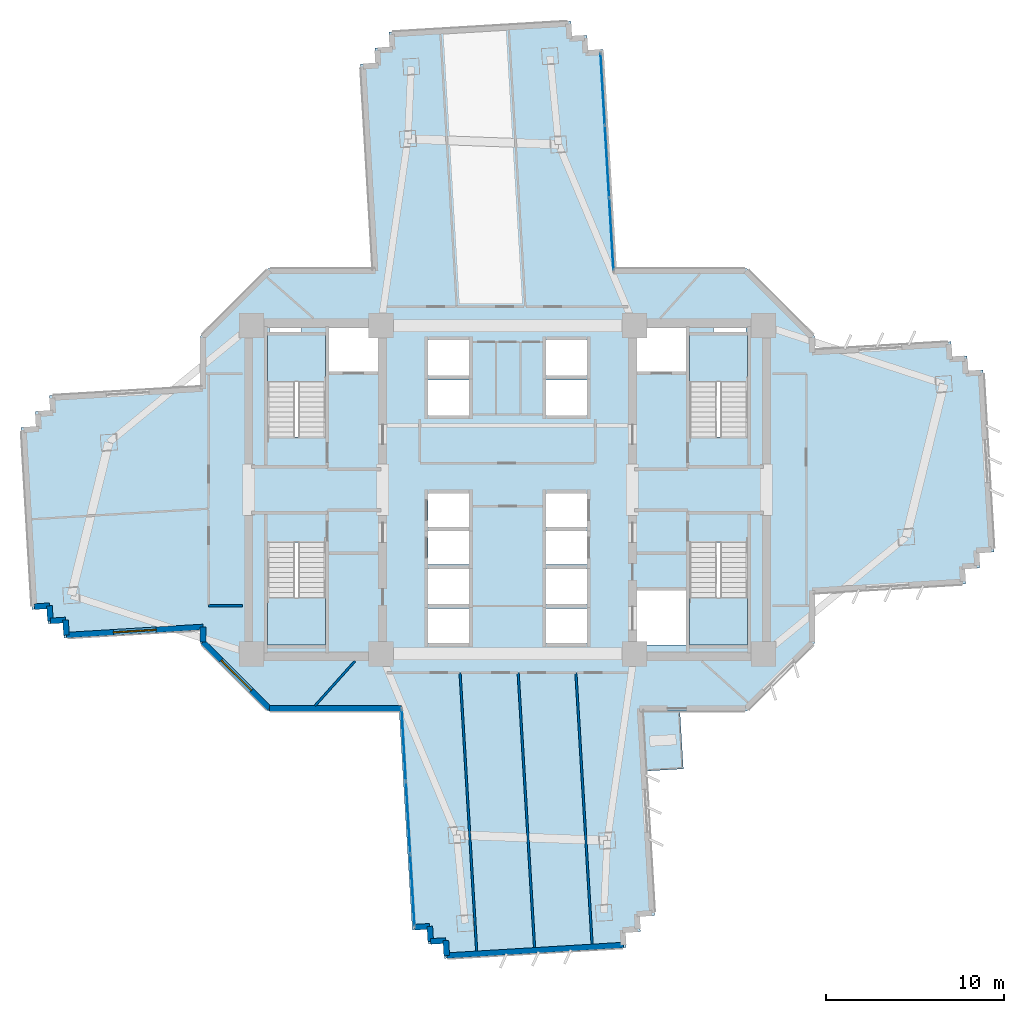
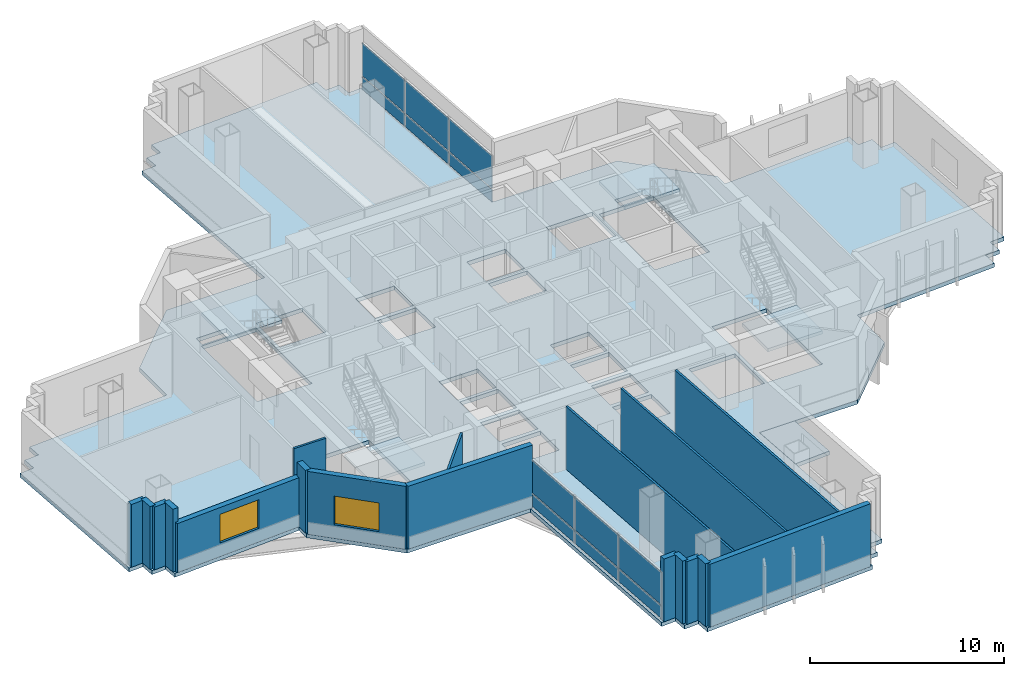
# One storey, part 5 of 15: 18 walls, 12 plates, 6 slabs, 2 windows, 2 openings, 6 elements without a shape of their own.
"""IFC4 building model written with IfcOpenShell, lengths in metres."""

from ifc_helpers import new_model, si_unit, direction, frame, frame_2d, origin, origin_2d, place, context, subcontext, project, spatial, polyline, rectangle, outline, extrude, source, transform, mapped, material, layer, layer_set, type_object, element, fill, aggregate, save


model = new_model("IFC4")

# Units and contexts
model_context = context("Model", 3, precision=1e-05, world=origin(), true_north=direction((0.0, 1.0)))
body_context = subcontext(model_context, "Body", "Model", "MODEL_VIEW")
ifc_project = project(units=[si_unit("LENGTHUNIT", "METRE"), si_unit("AREAUNIT", "SQUARE_METRE"), si_unit("VOLUMEUNIT", "CUBIC_METRE"), si_unit("PLANEANGLEUNIT", "RADIAN"), si_unit("MASSUNIT", "GRAM", prefix="KILO")], contexts=[model_context])

# Site, building, storey
site_placement = place(None, origin())
site = spatial("IfcSite", under=ifc_project, at=site_placement, CompositionType="ELEMENT")
building_placement = place(site_placement, origin())
building = spatial("IfcBuilding", under=site, at=building_placement, Name="Zahravan Cultural Tower", CompositionType="ELEMENT")
storey_placement = place(building_placement, frame((0.0, 0.0, 71.10009765625)))
storey = spatial("IfcBuildingStorey", under=building, at=storey_placement, Name="L15", CompositionType="ELEMENT", Elevation=71.10009765625)

# Stair, slab
ifc_material_1 = material(Name="Concrete C45/55", Category="concrete")
stair_type = type_object("IfcStairType", Name="STR-DL-1550-420", PredefinedType="HALF_TURN_STAIR", material=ifc_material_1)
stair_1_placement = place(storey_placement, origin())
stair_1 = element("IfcStair", 1, at=stair_1_placement, inside=storey, type_object=stair_type, Name="L15 West Core North Exit Stair ST-W1", PredefinedType="HALF_TURN_STAIR")
ifc_layer_1 = layer(ifc_material_1, 0.199951171875)
ifc_layer_set_1 = layer_set([ifc_layer_1], Name="Concrete C45/55")
slab_type_1 = type_object("IfcSlabType", Name="SL-STAIR-LND200", PredefinedType="LANDING", material=ifc_layer_set_1)
slab_1_placement = place(storey_placement, frame((0.0, 0.0, 1.89990234375)))
slab_1 = element("IfcSlab", 2, at=slab_1_placement, type_object=slab_type_1, Name="ST-W1 landing 1", PredefinedType="LANDING", context=body_context, shape_type="SweptSolid", body=[
    extrude(outline(polyline([(25.800048828125, 33.030029296875), (25.800048828125, 35.699951171875), (22.550048828125, 35.699951171875), (22.550048828125, 33.030029296875), (25.800048828125, 33.030029296875)])), origin(), (0.0, 0.0, 1.0), 0.199951171875),
])
aggregate(stair_1, [slab_1])

stair_2_placement = place(storey_placement, origin())
stair_2 = element("IfcStair", 3, at=stair_2_placement, inside=storey, type_object=stair_type, Name="L15 West Core South Exit Stair ST-W2", PredefinedType="HALF_TURN_STAIR")
slab_2_placement = place(storey_placement, frame((0.0, 0.0, 1.89990234375)))
slab_2 = element("IfcSlab", 4, at=slab_2_placement, type_object=slab_type_1, Name="ST-W2 landing 1", PredefinedType="LANDING", context=body_context, shape_type="SweptSolid", body=[
    extrude(outline(polyline([(22.550048828125, 20.969970703125), (22.550048828125, 18.300048828125), (25.800048828125, 18.300048828125), (25.800048828125, 20.969970703125), (22.550048828125, 20.969970703125)])), origin(), (0.0, 0.0, 1.0), 0.199951171875),
])
aggregate(stair_2, [slab_2])

stair_3_placement = place(storey_placement, origin())
stair_3 = element("IfcStair", 5, at=stair_3_placement, inside=storey, type_object=stair_type, Name="L15 East Core North Exit Stair ST-E1", PredefinedType="HALF_TURN_STAIR")
slab_3_placement = place(storey_placement, frame((0.0, 0.0, 1.89990234375)))
slab_3 = element("IfcSlab", 6, at=slab_3_placement, type_object=slab_type_1, Name="ST-E1 landing 1", PredefinedType="LANDING", context=body_context, shape_type="SweptSolid", body=[
    extrude(outline(polyline([(49.449951171875, 33.030029296875), (49.449951171875, 35.699951171875), (46.199951171875, 35.699951171875), (46.199951171875, 33.030029296875), (49.449951171875, 33.030029296875)])), origin(), (0.0, 0.0, 1.0), 0.199951171875),
])
aggregate(stair_3, [slab_3])

stair_4_placement = place(storey_placement, origin())
stair_4 = element("IfcStair", 7, at=stair_4_placement, inside=storey, type_object=stair_type, Name="L15 East Core South Exit Stair ST-E2", PredefinedType="HALF_TURN_STAIR")
slab_4_placement = place(storey_placement, frame((0.0, 0.0, 1.89990234375)))
slab_4 = element("IfcSlab", 8, at=slab_4_placement, type_object=slab_type_1, Name="ST-E2 landing 1", PredefinedType="LANDING", context=body_context, shape_type="SweptSolid", body=[
    extrude(outline(polyline([(46.199951171875, 20.969970703125), (46.199951171875, 18.300048828125), (49.449951171875, 18.300048828125), (49.449951171875, 20.969970703125), (46.199951171875, 20.969970703125)])), origin(), (0.0, 0.0, 1.0), 0.199951171875),
])
aggregate(stair_4, [slab_4])

# Slabs
ifc_material_2 = material(Name="Concrete C40/50", Category="concrete")
ifc_layer_2 = layer(ifc_material_2, 0.239990234375)
ifc_layer_set_2 = layer_set([ifc_layer_2], Name="Concrete C40/50")
slab_type_2 = type_object("IfcSlabType", Name="SL-TERR-240", PredefinedType="FLOOR", material=ifc_layer_set_2)
slab_5_placement = place(storey_placement, frame((0.0, 0.0, -0.239990234375)))
element("IfcSlab", 9, at=slab_5_placement, inside=storey, type_object=slab_type_2, Name="L15 Planted Sculpture Terrace SE", PredefinedType="FLOOR", context=body_context, shape_type="SweptSolid", body=[
    extrude(outline(polyline([(45.8505859375, 11.35986328125), (45.6572265625, 14.594970703125), (43.55859375, 14.594970703125), (43.75927734375, 11.23486328125), (45.8505859375, 11.35986328125)])), origin(), (0.0, 0.0, 1.0), 0.239990234375),
])
ifc_layer_3 = layer(ifc_material_2, 0.25)
ifc_layer_set_3 = layer_set([ifc_layer_3], Name="Concrete C40/50")
slab_type_3 = type_object("IfcSlabType", Name="SL-TYP-250", PredefinedType="FLOOR", material=ifc_layer_set_3)
slab_6_placement = place(storey_placement, frame((0.0, 0.0, -0.25)))
element("IfcSlab", 10, at=slab_6_placement, inside=storey, type_object=slab_type_3, Name="L15 Structural Floor Slab", PredefinedType="FLOOR", context=body_context, shape_type="SweptSolid", body=[
    extrude(outline(polyline([(53.199951171875, 34.840087890625), (53.199951171875, 35.60009765625), (49.39990234375, 39.39990234375), (42.071044921875, 39.39990234375), (41.33837890625, 51.662353515625), (40.48974609375, 51.61181640625), (40.439208984375, 52.460205078125), (39.590576171875, 52.409423828125), (39.539794921875, 53.2578125), (29.358154296875, 52.6494140625), (29.40869140625, 51.801025390625), (28.560302734375, 51.750244140625), (28.611083984375, 50.90185546875), (27.762451171875, 50.85107421875), (28.447021484375, 39.39990234375), (22.60009765625, 39.39990234375), (18.800048828125, 35.60009765625), (18.800048828125, 32.7841796875), (10.33935546875, 32.278564453125), (10.39013671875, 31.43017578125), (9.54150390625, 31.37939453125), (9.59228515625, 30.531005859375), (8.743896484375, 30.480224609375), (9.352294921875, 20.29833984375), (10.20068359375, 20.34912109375), (10.25146484375, 19.50048828125), (11.10009765625, 19.55126953125), (11.150634765625, 18.702880859375), (18.800048828125, 19.159912109375), (18.800048828125, 18.39990234375), (22.60009765625, 14.60009765625), (29.928955078125, 14.60009765625), (30.66162109375, 2.337646484375), (31.51025390625, 2.38818359375), (31.560791015625, 1.539794921875), (32.409423828125, 1.590576171875), (32.460205078125, 0.7421875), (42.641845703125, 1.3505859375), (42.59130859375, 2.198974609375), (43.439697265625, 2.249755859375), (43.388916015625, 3.09814453125), (44.237548828125, 3.14892578125), (43.552978515625, 14.60009765625), (49.39990234375, 14.60009765625), (53.199951171875, 18.39990234375), (53.199951171875, 21.2158203125), (61.66064453125, 21.721435546875), (61.60986328125, 22.56982421875), (62.45849609375, 22.62060546875), (62.40771484375, 23.468994140625), (63.256103515625, 23.519775390625), (62.647705078125, 33.70166015625), (61.79931640625, 33.65087890625), (61.74853515625, 34.49951171875), (60.89990234375, 34.44873046875), (60.849365234375, 35.297119140625), (53.199951171875, 34.840087890625)]), holes=[polyline([(22.550048828125, 29.949951171875), (22.550048828125, 35.699951171875), (25.800048828125, 35.699951171875), (25.800048828125, 29.949951171875), (22.550048828125, 29.949951171875)]), polyline([(22.550048828125, 18.300048828125), (22.550048828125, 24.050048828125), (25.800048828125, 24.050048828125), (25.800048828125, 18.300048828125), (22.550048828125, 18.300048828125)]), polyline([(46.199951171875, 29.949951171875), (46.199951171875, 35.699951171875), (49.449951171875, 35.699951171875), (49.449951171875, 29.949951171875), (46.199951171875, 29.949951171875)]), polyline([(46.199951171875, 18.300048828125), (46.199951171875, 24.050048828125), (49.449951171875, 24.050048828125), (49.449951171875, 18.300048828125), (46.199951171875, 18.300048828125)]), polyline([(26.0, 33.60009765625), (26.0, 36.050048828125), (28.75, 36.050048828125), (28.75, 33.60009765625), (26.0, 33.60009765625)]), polyline([(43.25, 33.60009765625), (43.25, 36.050048828125), (46.0, 36.050048828125), (46.0, 33.60009765625), (43.25, 33.60009765625)]), polyline([(43.25, 18.300048828125), (43.25, 21.35009765625), (46.0, 21.35009765625), (46.0, 18.300048828125), (43.25, 18.300048828125)]), polyline([(31.550048828125, 33.39990234375), (31.550048828125, 35.39990234375), (33.85009765625, 35.39990234375), (33.85009765625, 33.39990234375), (31.550048828125, 33.39990234375)]), polyline([(31.550048828125, 31.14990234375), (31.550048828125, 33.14990234375), (33.85009765625, 33.14990234375), (33.85009765625, 31.14990234375), (31.550048828125, 31.14990234375)]), polyline([(38.14990234375, 33.39990234375), (38.14990234375, 35.39990234375), (40.449951171875, 35.39990234375), (40.449951171875, 33.39990234375), (38.14990234375, 33.39990234375)]), polyline([(38.14990234375, 31.14990234375), (38.14990234375, 33.14990234375), (40.449951171875, 33.14990234375), (40.449951171875, 31.14990234375), (38.14990234375, 31.14990234375)]), polyline([(31.550048828125, 20.60009765625), (31.550048828125, 22.550048828125), (33.85009765625, 22.550048828125), (33.85009765625, 20.60009765625), (31.550048828125, 20.60009765625)]), polyline([(31.550048828125, 18.39990234375), (31.550048828125, 20.35009765625), (33.85009765625, 20.35009765625), (33.85009765625, 18.39990234375), (31.550048828125, 18.39990234375)]), polyline([(38.14990234375, 20.60009765625), (38.14990234375, 22.550048828125), (40.449951171875, 22.550048828125), (40.449951171875, 20.60009765625), (38.14990234375, 20.60009765625)]), polyline([(38.14990234375, 18.39990234375), (38.14990234375, 20.35009765625), (40.449951171875, 20.35009765625), (40.449951171875, 18.39990234375), (38.14990234375, 18.39990234375)]), polyline([(31.550048828125, 24.89990234375), (31.550048828125, 26.800048828125), (33.85009765625, 26.800048828125), (33.85009765625, 24.89990234375), (31.550048828125, 24.89990234375)]), polyline([(31.550048828125, 22.800048828125), (31.550048828125, 24.699951171875), (33.85009765625, 24.699951171875), (33.85009765625, 22.800048828125), (31.550048828125, 22.800048828125)]), polyline([(38.14990234375, 24.89990234375), (38.14990234375, 26.800048828125), (40.449951171875, 26.800048828125), (40.449951171875, 24.89990234375), (38.14990234375, 24.89990234375)]), polyline([(38.14990234375, 22.800048828125), (38.14990234375, 24.699951171875), (40.449951171875, 24.699951171875), (40.449951171875, 22.800048828125), (38.14990234375, 22.800048828125)]), polyline([(22.64990234375, 35.800048828125), (22.64990234375, 36.419921875), (24.449951171875, 36.419921875), (24.449951171875, 35.800048828125), (22.64990234375, 35.800048828125)]), polyline([(47.550048828125, 35.800048828125), (47.550048828125, 36.419921875), (49.35009765625, 36.419921875), (49.35009765625, 35.800048828125), (47.550048828125, 35.800048828125)])]), origin(), (0.0, 0.0, 1.0), 0.25),
])

# Curtain wall, plates
ifc_material_3 = material(Name="Anodised bronze-aluminium mullion", Category="aluminium")
ifc_layer_4 = layer(ifc_material_3, 0.219970703125)
ifc_layer_set_4 = layer_set([ifc_layer_4], Name="Anodised bronze-aluminium mullion")
curtain_wall_type_1 = type_object("IfcCurtainWallType", Name="CW-SYS-1", PredefinedType="USERDEFINED", material=ifc_layer_set_4)
curtain_wall_1_placement = place(storey_placement, origin())
curtain_wall_1 = element("IfcCurtainWall", 11, at=curtain_wall_1_placement, inside=storey, type_object=curtain_wall_type_1, Name="L15 Recessed Curtain Wall CW-1.1", ObjectType="RECESSED GLAZING", PredefinedType="USERDEFINED")
ifc_material_4 = material(Name="Low-E solar-control double glazing", Category="glass")
ifc_layer_5 = layer(ifc_material_4, 0.031982421875)
ifc_layer_set_5 = layer_set([ifc_layer_5], Name="Low-E solar-control double glazing")
plate_type_1 = type_object("IfcPlateType", Name="CWP-CW-1", PredefinedType="CURTAIN_PANEL", material=ifc_layer_set_5)
shared_shape_1 = source(origin(), body_context, "Body", "SweptSolid", [
    extrude(rectangle(XDim=3.97216796875, YDim=0.031982421875, at=origin_2d()), origin(), (0.0, 0.0, 1.0), 0.780029296875),
])
plate_1_placement = place(storey_placement, frame((30.669921875, 4.548095703125, 0.080078125), z_axis=(0.0, 0.0, 1.0), x_axis=(-0.059652198511, 0.998219222021, 0.0)))
plate_1 = element("IfcPlate", 12, at=plate_1_placement, type_object=plate_type_1, Name="CW-1 panel 1.1", PredefinedType="CURTAIN_PANEL", context=body_context, shape_type="MappedRepresentation", body=[
    mapped(shared_shape_1, transform((0.0, 0.0, 0.0), x_axis=(1.0, 0.0, 0.0), y_axis=(0.0, 1.0, 0.0), z_axis=(0.0, 0.0, 1.0), scale=1.0)),
])
plate_2_placement = place(storey_placement, frame((30.18408203125, 12.677734375, 0.080078125), z_axis=(0.0, 0.0, 1.0), x_axis=(-0.059652198511, 0.998219222021, 0.0)))
plate_2 = element("IfcPlate", 13, at=plate_2_placement, type_object=plate_type_1, Name="CW-1 panel 3.1", PredefinedType="CURTAIN_PANEL", context=body_context, shape_type="MappedRepresentation", body=[
    mapped(shared_shape_1, transform((0.0, 0.0, 0.0), x_axis=(1.0, 0.0, 0.0), y_axis=(0.0, 1.0, 0.0), z_axis=(0.0, 0.0, 1.0), scale=1.0)),
])
shared_shape_2 = source(origin(), body_context, "Body", "SweptSolid", [
    extrude(rectangle(XDim=3.97216796875, YDim=0.031982421875, at=origin_2d()), origin(), (0.0, 0.0, 1.0), 2.050048828125),
])
plate_3_placement = place(storey_placement, frame((30.669921875, 4.548095703125, 0.93994140625), z_axis=(0.0, 0.0, 1.0), x_axis=(-0.059652198511, 0.998219222021, 0.0)))
plate_3 = element("IfcPlate", 14, at=plate_3_placement, type_object=plate_type_1, Name="CW-1 panel 1.2", PredefinedType="CURTAIN_PANEL", context=body_context, shape_type="MappedRepresentation", body=[
    mapped(shared_shape_2, transform((0.0, 0.0, 0.0), x_axis=(1.0, 0.0, 0.0), y_axis=(0.0, 1.0, 0.0), z_axis=(0.0, 0.0, 1.0), scale=1.0)),
])
plate_4_placement = place(storey_placement, frame((30.18408203125, 12.677734375, 0.93994140625), z_axis=(0.0, 0.0, 1.0), x_axis=(-0.059652198511, 0.998219222021, 0.0)))
plate_4 = element("IfcPlate", 15, at=plate_4_placement, type_object=plate_type_1, Name="CW-1 panel 3.2", PredefinedType="CURTAIN_PANEL", context=body_context, shape_type="MappedRepresentation", body=[
    mapped(shared_shape_2, transform((0.0, 0.0, 0.0), x_axis=(1.0, 0.0, 0.0), y_axis=(0.0, 1.0, 0.0), z_axis=(0.0, 0.0, 1.0), scale=1.0)),
])
shared_shape_3 = source(origin(), body_context, "Body", "SweptSolid", [
    extrude(rectangle(XDim=4.011962890625, YDim=0.031982421875, at=origin_2d()), origin(), (0.0, 0.0, 1.0), 0.780029296875),
])
plate_5_placement = place(storey_placement, frame((30.427001953125, 8.61279296875, 0.080078125), z_axis=(0.0, 0.0, 1.0), x_axis=(-0.059652198511, 0.998219222021, 0.0)))
plate_5 = element("IfcPlate", 16, at=plate_5_placement, type_object=plate_type_1, Name="CW-1 panel 2.1", PredefinedType="CURTAIN_PANEL", context=body_context, shape_type="MappedRepresentation", body=[
    mapped(shared_shape_3, transform((0.0, 0.0, 0.0), x_axis=(1.0, 0.0, 0.0), y_axis=(0.0, 1.0, 0.0), z_axis=(0.0, 0.0, 1.0), scale=1.0)),
])
shared_shape_4 = source(origin(), body_context, "Body", "SweptSolid", [
    extrude(rectangle(XDim=4.011962890625, YDim=0.031982421875, at=origin_2d()), origin(), (0.0, 0.0, 1.0), 2.050048828125),
])
plate_6_placement = place(storey_placement, frame((30.427001953125, 8.61279296875, 0.93994140625), z_axis=(0.0, 0.0, 1.0), x_axis=(-0.059652198511, 0.998219222021, 0.0)))
plate_6 = element("IfcPlate", 17, at=plate_6_placement, type_object=plate_type_1, Name="CW-1 panel 2.2", PredefinedType="CURTAIN_PANEL", context=body_context, shape_type="MappedRepresentation", body=[
    mapped(shared_shape_4, transform((0.0, 0.0, 0.0), x_axis=(1.0, 0.0, 0.0), y_axis=(0.0, 1.0, 0.0), z_axis=(0.0, 0.0, 1.0), scale=1.0)),
])
aggregate(curtain_wall_1, [plate_1, plate_3, plate_5, plate_6, plate_2, plate_4])

ifc_layer_6 = layer(ifc_material_3, 0.199951171875)
ifc_layer_set_6 = layer_set([ifc_layer_6], Name="Anodised bronze-aluminium mullion")
curtain_wall_type_2 = type_object("IfcCurtainWallType", Name="CW-SYS-2", PredefinedType="USERDEFINED", material=ifc_layer_set_6)
curtain_wall_2_placement = place(storey_placement, origin())
curtain_wall_2 = element("IfcCurtainWall", 18, at=curtain_wall_2_placement, inside=storey, type_object=curtain_wall_type_2, Name="L15 Recessed Curtain Wall CW-2.2", ObjectType="RECESSED GLAZING", PredefinedType="USERDEFINED")
ifc_layer_7 = layer(ifc_material_4, 0.030029296875)
ifc_layer_set_7 = layer_set([ifc_layer_7], Name="Low-E solar-control double glazing")
plate_type_2 = type_object("IfcPlateType", Name="CWP-CW-2", PredefinedType="CURTAIN_PANEL", material=ifc_layer_set_7)
shared_shape_5 = source(origin(), body_context, "Body", "SweptSolid", [
    extrude(rectangle(XDim=3.9794921875, YDim=0.030029296875, at=origin_2d()), origin(), (0.0, 0.0, 1.0), 0.78759765625),
])
plate_7_placement = place(storey_placement, frame((41.330078125, 49.453125, 0.074951171875), z_axis=(0.0, 0.0, 1.0), x_axis=(0.059652198511, -0.998219222021, 0.0)))
plate_7 = element("IfcPlate", 19, at=plate_7_placement, type_object=plate_type_2, Name="CW-2 panel 1.1", PredefinedType="CURTAIN_PANEL", context=body_context, shape_type="MappedRepresentation", body=[
    mapped(shared_shape_5, transform((0.0, 0.0, 0.0), x_axis=(1.0, 0.0, 0.0), y_axis=(0.0, 1.0, 0.0), z_axis=(0.0, 0.0, 1.0), scale=1.0)),
])
plate_8_placement = place(storey_placement, frame((41.81591796875, 41.321044921875, 0.074951171875), z_axis=(0.0, 0.0, 1.0), x_axis=(0.059652198511, -0.998219222021, 0.0)))
plate_8 = element("IfcPlate", 20, at=plate_8_placement, type_object=plate_type_2, Name="CW-2 panel 3.1", PredefinedType="CURTAIN_PANEL", context=body_context, shape_type="MappedRepresentation", body=[
    mapped(shared_shape_5, transform((0.0, 0.0, 0.0), x_axis=(1.0, 0.0, 0.0), y_axis=(0.0, 1.0, 0.0), z_axis=(0.0, 0.0, 1.0), scale=1.0)),
])
shared_shape_6 = source(origin(), body_context, "Body", "SweptSolid", [
    extrude(rectangle(XDim=3.9794921875, YDim=0.030029296875, at=origin_2d()), origin(), (0.0, 0.0, 1.0), 2.0576171875),
])
plate_9_placement = place(storey_placement, frame((41.330078125, 49.453125, 0.937255859375), z_axis=(0.0, 0.0, 1.0), x_axis=(0.059652198511, -0.998219222021, 0.0)))
plate_9 = element("IfcPlate", 21, at=plate_9_placement, type_object=plate_type_2, Name="CW-2 panel 1.2", PredefinedType="CURTAIN_PANEL", context=body_context, shape_type="MappedRepresentation", body=[
    mapped(shared_shape_6, transform((0.0, 0.0, 0.0), x_axis=(1.0, 0.0, 0.0), y_axis=(0.0, 1.0, 0.0), z_axis=(0.0, 0.0, 1.0), scale=1.0)),
])
plate_10_placement = place(storey_placement, frame((41.81591796875, 41.321044921875, 0.937255859375), z_axis=(0.0, 0.0, 1.0), x_axis=(0.059652198511, -0.998219222021, 0.0)))
plate_10 = element("IfcPlate", 22, at=plate_10_placement, type_object=plate_type_2, Name="CW-2 panel 3.2", PredefinedType="CURTAIN_PANEL", context=body_context, shape_type="MappedRepresentation", body=[
    mapped(shared_shape_6, transform((0.0, 0.0, 0.0), x_axis=(1.0, 0.0, 0.0), y_axis=(0.0, 1.0, 0.0), z_axis=(0.0, 0.0, 1.0), scale=1.0)),
])
shared_shape_7 = source(origin(), body_context, "Body", "SweptSolid", [
    extrude(rectangle(XDim=4.01708984375, YDim=0.030029296875, at=origin_2d()), origin(), (0.0, 0.0, 1.0), 0.78759765625),
])
plate_11_placement = place(storey_placement, frame((41.572998046875, 45.38720703125, 0.074951171875), z_axis=(0.0, 0.0, 1.0), x_axis=(0.059652198511, -0.998219222021, 0.0)))
plate_11 = element("IfcPlate", 23, at=plate_11_placement, type_object=plate_type_2, Name="CW-2 panel 2.1", PredefinedType="CURTAIN_PANEL", context=body_context, shape_type="MappedRepresentation", body=[
    mapped(shared_shape_7, transform((0.0, 0.0, 0.0), x_axis=(1.0, 0.0, 0.0), y_axis=(0.0, 1.0, 0.0), z_axis=(0.0, 0.0, 1.0), scale=1.0)),
])
shared_shape_8 = source(origin(), body_context, "Body", "SweptSolid", [
    extrude(rectangle(XDim=4.01708984375, YDim=0.030029296875, at=origin_2d()), origin(), (0.0, 0.0, 1.0), 2.0576171875),
])
plate_12_placement = place(storey_placement, frame((41.572998046875, 45.38720703125, 0.937255859375), z_axis=(0.0, 0.0, 1.0), x_axis=(0.059652198511, -0.998219222021, 0.0)))
plate_12 = element("IfcPlate", 24, at=plate_12_placement, type_object=plate_type_2, Name="CW-2 panel 2.2", PredefinedType="CURTAIN_PANEL", context=body_context, shape_type="MappedRepresentation", body=[
    mapped(shared_shape_8, transform((0.0, 0.0, 0.0), x_axis=(1.0, 0.0, 0.0), y_axis=(0.0, 1.0, 0.0), z_axis=(0.0, 0.0, 1.0), scale=1.0)),
])
aggregate(curtain_wall_2, [plate_7, plate_9, plate_11, plate_12, plate_8, plate_10])

# Wall, opening, window
ifc_material_5 = material(Name="Precast concrete C40/50", Category="concrete")
ifc_layer_8 = layer(ifc_material_5, 0.320068359375)
ifc_layer_set_8 = layer_set([ifc_layer_8], Name="Precast concrete C40/50")
wall_type_1 = type_object("IfcWallType", Name="EW-TC-320", PredefinedType="SOLIDWALL", material=ifc_layer_set_8)
wall_1_placement = place(storey_placement, frame((22.657958984375, 14.739990234375, 0.0), z_axis=(0.0, 0.0, 1.0), x_axis=(-0.707106781187, 0.707106781187, 0.0)))
wall_1 = element("IfcWall", 25, at=wall_1_placement, inside=storey, type_object=wall_type_1, Name="L15 Exterior Masonry Frame Wall 26", PredefinedType="SOLIDWALL", context=body_context, shape_type="SweptSolid", body=[
    extrude(rectangle(XDim=5.258056640625, YDim=0.320068359375, at=frame_2d((2.62890625, 0.0))), origin(), (0.0, 0.0, 1.0), 3.949951171875),
])
opening_1_placement = place(wall_1_placement, frame((1.428955078125, 0.0, 0.85009765625)))
opening_1 = element("IfcOpeningElement", 26, at=opening_1_placement, cuts=wall_1, Name="Opening WN-01", PredefinedType="OPENING", context=body_context, shape_type="SweptSolid", body=[
    extrude(rectangle(XDim=2.39990234375, YDim=1.800048828125, at=frame_2d((1.199951171875, 0.89990234375))), frame((0.0, 0.169921875, 0.0), z_axis=(0.0, -1.0, 0.0), x_axis=(1.0, 0.0, 0.0)), (0.0, 0.0, 1.0), 0.340087890625),
])
window_type = type_object("IfcWindowType", Name="WN-REC-2400X1800", PartitioningType="DOUBLE_PANEL_VERTICAL", PredefinedType="WINDOW", material=ifc_material_4)
shared_shape_9 = source(origin(), body_context, "Body", "SweptSolid", [
    extrude(rectangle(XDim=2.39990234375, YDim=1.800048828125, at=frame_2d((1.199951171875, 0.89990234375))), frame((0.0, 0.030029296875, 0.0), z_axis=(0.0, -1.0, 0.0), x_axis=(1.0, 0.0, 0.0)), (0.0, 0.0, 1.0), 0.06005859375),
])
window_1_placement = place(opening_1_placement, origin())
window_1 = element("IfcWindow", 27, at=window_1_placement, inside=storey, type_object=window_type, Name="L15 Recessed Solar Window 06", OverallHeight=1.800048828125, OverallWidth=2.39990234375, PartitioningType="DOUBLE_PANEL_VERTICAL", PredefinedType="WINDOW", context=body_context, shape_type="MappedRepresentation", body=[
    mapped(shared_shape_9, transform((0.0, 0.0, 0.0), x_axis=(1.0, 0.0, 0.0), y_axis=(0.0, 1.0, 0.0), z_axis=(0.0, 0.0, 1.0), scale=1.0)),
])
fill(opening_1, window_1)

wall_2_placement = place(storey_placement, frame((18.93994140625, 19.30859375, 0.0), z_axis=(0.0, 0.0, 1.0), x_axis=(-0.998218176762, -0.059669687296, 0.0)))
wall_2 = element("IfcWall", 28, at=wall_2_placement, inside=storey, type_object=wall_type_1, Name="L15 Exterior Masonry Frame Wall 28", PredefinedType="SOLIDWALL", context=body_context, shape_type="SweptSolid", body=[
    extrude(rectangle(XDim=7.671630859375, YDim=0.320068359375, at=frame_2d((3.8359375, 0.0))), origin(), (0.0, 0.0, 1.0), 3.079833984375),
])
opening_2_placement = place(wall_2_placement, frame((2.635986328125, 0.0, 0.85009765625)))
opening_2 = element("IfcOpeningElement", 29, at=opening_2_placement, cuts=wall_2, Name="Opening WN-01", PredefinedType="OPENING", context=body_context, shape_type="SweptSolid", body=[
    extrude(rectangle(XDim=2.39990234375, YDim=1.800048828125, at=frame_2d((1.199951171875, 0.89990234375))), frame((0.0, 0.169921875, 0.0), z_axis=(0.0, -1.0, 0.0), x_axis=(1.0, 0.0, 0.0)), (0.0, 0.0, 1.0), 0.340087890625),
])
window_2_placement = place(opening_2_placement, origin())
window_2 = element("IfcWindow", 30, at=window_2_placement, inside=storey, type_object=window_type, Name="L15 Recessed Solar Window 07", OverallHeight=1.800048828125, OverallWidth=2.39990234375, PartitioningType="DOUBLE_PANEL_VERTICAL", PredefinedType="WINDOW", context=body_context, shape_type="MappedRepresentation", body=[
    mapped(shared_shape_9, transform((0.0, 0.0, 0.0), x_axis=(1.0, 0.0, 0.0), y_axis=(0.0, 1.0, 0.0), z_axis=(0.0, 0.0, 1.0), scale=1.0)),
])
fill(opening_2, window_2)

# Walls
shared_shape_10 = source(origin(), body_context, "Body", "SweptSolid", [
    extrude(rectangle(XDim=0.849853515625, YDim=0.320068359375, at=frame_2d((0.4248046875, 0.0))), origin(), (0.0, 0.0, 1.0), 3.949951171875),
])
for number, where, z_axis, x_axis, name in (
    (31, (32.540771484375, 1.73876953125, 0.0), (0.0, 0.0, 1.0), (-0.998213421964, -0.059749177487, 0.0), "L15 Exterior Masonry Frame Wall 22"),
    (32, (31.6923828125, 1.68798828125, 0.0), (0.0, 0.0, 1.0), (-0.059749177487, 0.998213421964, 0.0), "L15 Exterior Masonry Frame Wall 23"),
    (33, (31.6416015625, 2.536376953125, 0.0), (0.0, 0.0, 1.0), (-0.998213421964, -0.059749177487, 0.0), "L15 Exterior Masonry Frame Wall 24"),
):
    element("IfcWall", number, at=place(storey_placement, frame(where, z_axis=z_axis, x_axis=x_axis)), inside=storey, type_object=wall_type_1, Name=name, PredefinedType="SOLIDWALL", context=body_context, shape_type="MappedRepresentation", body=[
        mapped(shared_shape_10, transform((0.0, 0.0, 0.0), x_axis=(1.0, 0.0, 0.0), y_axis=(0.0, 1.0, 0.0), z_axis=(0.0, 0.0, 1.0), scale=1.0)),
    ])
shared_shape_11 = source(origin(), body_context, "Body", "SweptSolid", [
    extrude(rectangle(XDim=0.85009765625, YDim=0.320068359375, at=frame_2d((0.425048828125, 0.0))), origin(), (0.0, 0.0, 1.0), 3.949951171875),
])
for number, where, z_axis, x_axis, name in (
    (34, (32.591552734375, 0.89013671875, 0.0), (0.0, 0.0, 1.0), (-0.059732049764, 0.998214447016, 0.0), "L15 Exterior Masonry Frame Wall 21"),
    (35, (11.281982421875, 18.850830078125, 0.0), (0.0, 0.0, 1.0), (-0.059445893707, 0.998231529116, 0.0), "L15 Exterior Masonry Frame Wall 29"),
    (36, (11.2314453125, 19.699462890625, 0.0), (0.0, 0.0, 1.0), (-0.998214447016, -0.059732049764, 0.0), "L15 Exterior Masonry Frame Wall 30"),
    (37, (10.3828125, 19.648681640625, 0.0), (0.0, 0.0, 1.0), (-0.059445893707, 0.998231529116, 0.0), "L15 Exterior Masonry Frame Wall 31"),
    (38, (10.332275390625, 20.497314453125, 0.0), (0.0, 0.0, 1.0), (-0.998214447016, -0.059732049764, 0.0), "L15 Exterior Masonry Frame Wall 32"),
):
    element("IfcWall", number, at=place(storey_placement, frame(where, z_axis=z_axis, x_axis=x_axis)), inside=storey, type_object=wall_type_1, Name=name, PredefinedType="SOLIDWALL", context=body_context, shape_type="MappedRepresentation", body=[
        mapped(shared_shape_11, transform((0.0, 0.0, 0.0), x_axis=(1.0, 0.0, 0.0), y_axis=(0.0, 1.0, 0.0), z_axis=(0.0, 0.0, 1.0), scale=1.0)),
    ])
shared_shape_12 = source(origin(), body_context, "Body", "SweptSolid", [
    extrude(rectangle(XDim=9.919921875, YDim=0.320068359375, at=frame_2d((4.9599609375, 0.0))), origin(), (0.0, 0.0, 1.0), 3.949951171875),
])
wall_3_placement = place(storey_placement, frame((42.493896484375, 1.48193359375, 0.0), z_axis=(0.0, 0.0, 1.0), x_axis=(-0.998218942745, -0.059656871726, 0.0)))
element("IfcWall", 39, at=wall_3_placement, inside=storey, type_object=wall_type_1, Name="L15 Exterior Masonry Frame Wall 20", PredefinedType="SOLIDWALL", context=body_context, shape_type="MappedRepresentation", body=[
    mapped(shared_shape_12, transform((0.0, 0.0, 0.0), x_axis=(1.0, 0.0, 0.0), y_axis=(0.0, 1.0, 0.0), z_axis=(0.0, 0.0, 1.0), scale=1.0)),
])
shared_shape_13 = source(origin(), body_context, "Body", "SweptSolid", [
    extrude(rectangle(XDim=7.40283203125, YDim=0.320068359375, at=frame_2d((3.701416015625, 0.0))), origin(), (0.0, 0.0, 1.0), 3.949951171875),
])
wall_4_placement = place(storey_placement, frame((30.060791015625, 14.739990234375, 0.0), z_axis=(0.0, 0.0, 1.0), x_axis=(-1.0, 0.0, 0.0)))
element("IfcWall", 40, at=wall_4_placement, inside=storey, type_object=wall_type_1, Name="L15 Exterior Masonry Frame Wall 25", PredefinedType="SOLIDWALL", context=body_context, shape_type="MappedRepresentation", body=[
    mapped(shared_shape_13, transform((0.0, 0.0, 0.0), x_axis=(1.0, 0.0, 0.0), y_axis=(0.0, 1.0, 0.0), z_axis=(0.0, 0.0, 1.0), scale=1.0)),
])
shared_shape_14 = source(origin(), body_context, "Body", "SweptSolid", [
    extrude(rectangle(XDim=0.8505859375, YDim=0.320068359375, at=frame_2d((0.42529296875, 0.0))), origin(), (0.0, 0.0, 1.0), 3.949951171875),
])
wall_5_placement = place(storey_placement, frame((18.93994140625, 18.4580078125, 0.0), z_axis=(0.0, 0.0, 1.0), x_axis=(0.0, 1.0, 0.0)))
element("IfcWall", 41, at=wall_5_placement, inside=storey, type_object=wall_type_1, Name="L15 Exterior Masonry Frame Wall 27", PredefinedType="SOLIDWALL", context=body_context, shape_type="MappedRepresentation", body=[
    mapped(shared_shape_14, transform((0.0, 0.0, 0.0), x_axis=(1.0, 0.0, 0.0), y_axis=(0.0, 1.0, 0.0), z_axis=(0.0, 0.0, 1.0), scale=1.0)),
])
ifc_material_6 = material(Name="Gypsum plasterboard partition")
ifc_layer_9 = layer(ifc_material_6, 0.125)
ifc_layer_set_9 = layer_set([ifc_layer_9], Name="Gypsum plasterboard partition")
wall_type_2 = type_object("IfcWallType", Name="W-PART-125", PredefinedType="PARTITIONING", material=ifc_layer_set_9)
shared_shape_15 = source(origin(), body_context, "Body", "SweptSolid", [
    extrude(rectangle(XDim=15.41796875, YDim=0.125, at=frame_2d((7.708984375, 0.0))), origin(), (0.0, 0.0, 1.0), 3.949951171875),
])
wall_6_placement = place(storey_placement, frame((37.512939453125, 1.349609375, 0.0), z_axis=(0.0, 0.0, 1.0), x_axis=(-0.059666030768, 0.998218395329, 0.0)))
element("IfcWall", 42, at=wall_6_placement, inside=storey, type_object=wall_type_2, Name="L15 Interior Wall 079", PredefinedType="PARTITIONING", context=body_context, shape_type="MappedRepresentation", body=[
    mapped(shared_shape_15, transform((0.0, 0.0, 0.0), x_axis=(1.0, 0.0, 0.0), y_axis=(0.0, 1.0, 0.0), z_axis=(0.0, 0.0, 1.0), scale=1.0)),
])
shared_shape_16 = source(origin(), body_context, "Body", "SweptSolid", [
    extrude(rectangle(XDim=15.224853515625, YDim=0.125, at=frame_2d((7.6123046875, 0.0))), origin(), (0.0, 0.0, 1.0), 3.949951171875),
])
wall_7_placement = place(storey_placement, frame((39.828857421875, 16.739990234375, 0.0), z_axis=(0.0, 0.0, 1.0), x_axis=(0.059652617074, -0.998219197008, 0.0)))
element("IfcWall", 43, at=wall_7_placement, inside=storey, type_object=wall_type_2, Name="L15 Interior Wall 081", PredefinedType="PARTITIONING", context=body_context, shape_type="MappedRepresentation", body=[
    mapped(shared_shape_16, transform((0.0, 0.0, 0.0), x_axis=(1.0, 0.0, 0.0), y_axis=(0.0, 1.0, 0.0), z_axis=(0.0, 0.0, 1.0), scale=1.0)),
])
shared_shape_17 = source(origin(), body_context, "Body", "SweptSolid", [
    extrude(rectangle(XDim=15.612060546875, YDim=0.125, at=frame_2d((7.80615234375, 0.0))), origin(), (0.0, 0.0, 1.0), 3.949951171875),
])
wall_8_placement = place(storey_placement, frame((34.268798828125, 1.15576171875, 0.0), z_axis=(0.0, 0.0, 1.0), x_axis=(-0.059658872533, 0.998218823169, 0.0)))
element("IfcWall", 44, at=wall_8_placement, inside=storey, type_object=wall_type_2, Name="L15 Interior Wall 082", PredefinedType="PARTITIONING", context=body_context, shape_type="MappedRepresentation", body=[
    mapped(shared_shape_17, transform((0.0, 0.0, 0.0), x_axis=(1.0, 0.0, 0.0), y_axis=(0.0, 1.0, 0.0), z_axis=(0.0, 0.0, 1.0), scale=1.0)),
])
shared_shape_18 = source(origin(), body_context, "Body", "SweptSolid", [
    extrude(rectangle(XDim=3.34765625, YDim=0.125, at=frame_2d((1.673828125, 0.0))), origin(), (0.0, 0.0, 1.0), 3.949951171875),
])
wall_9_placement = place(storey_placement, frame((25.215087890625, 14.9013671875, 0.0), z_axis=(0.0, 0.0, 1.0), x_axis=(0.667206176518, 0.74487308853, 0.0)))
element("IfcWall", 45, at=wall_9_placement, inside=storey, type_object=wall_type_2, Name="L15 Interior Wall 088", PredefinedType="PARTITIONING", context=body_context, shape_type="MappedRepresentation", body=[
    mapped(shared_shape_18, transform((0.0, 0.0, 0.0), x_axis=(1.0, 0.0, 0.0), y_axis=(0.0, 1.0, 0.0), z_axis=(0.0, 0.0, 1.0), scale=1.0)),
])
shared_shape_19 = source(origin(), body_context, "Body", "SweptSolid", [
    extrude(rectangle(XDim=1.89599609375, YDim=0.125, at=frame_2d((0.947998046875, 0.0))), origin(), (0.0, 0.0, 1.0), 3.949951171875),
])
wall_10_placement = place(storey_placement, frame((19.25048828125, 20.50341796875, 0.0), z_axis=(0.0, 0.0, 1.0), x_axis=(0.999998806185, -0.001545195168, 0.0)))
element("IfcWall", 46, at=wall_10_placement, inside=storey, type_object=wall_type_2, Name="L15 Interior Wall 098", PredefinedType="PARTITIONING", context=body_context, shape_type="MappedRepresentation", body=[
    mapped(shared_shape_19, transform((0.0, 0.0, 0.0), x_axis=(1.0, 0.0, 0.0), y_axis=(0.0, 1.0, 0.0), z_axis=(0.0, 0.0, 1.0), scale=1.0)),
])

save(model, "model.ifc")
